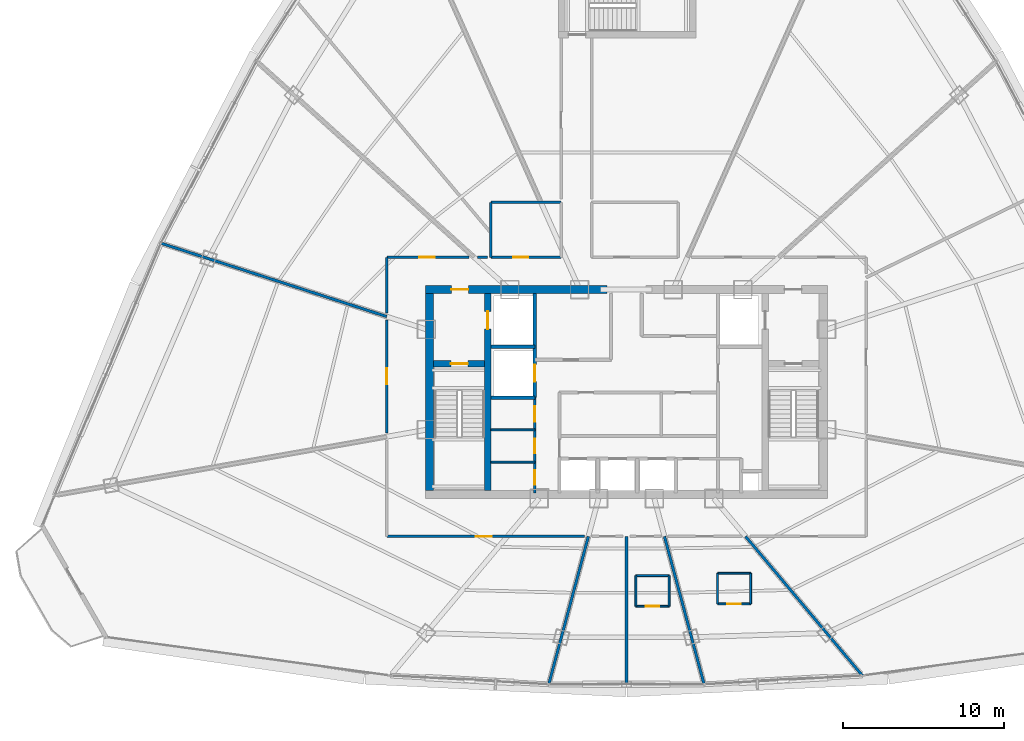
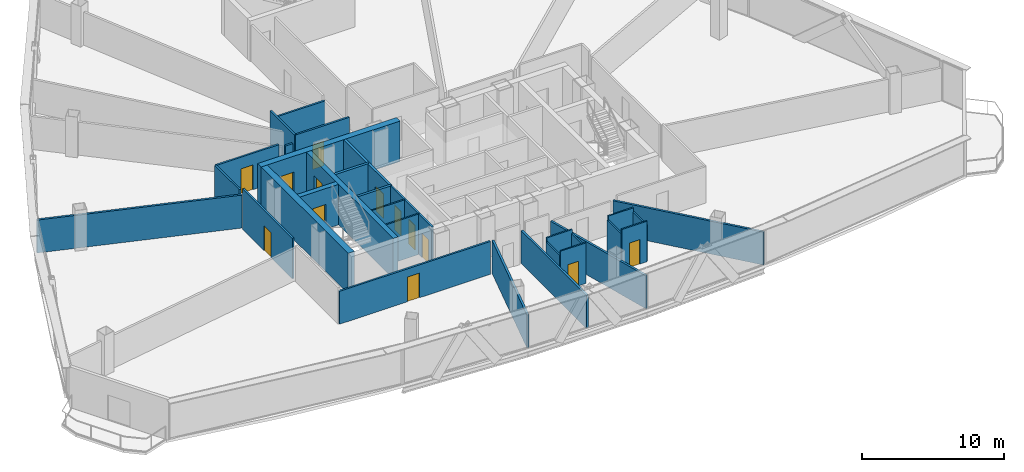
# One storey, part 27 of 34: 31 walls, 13 doors, 13 openings.
"""IFC4 building model written with IfcOpenShell, lengths in metres."""

from ifc_helpers import new_model, si_unit, direction, frame, frame_2d, origin, origin_with_axes, place, context, subcontext, project, spatial, rectangle, extrude, source, transform, mapped, material, layer, layer_set, type_object, element, fill, save


model = new_model("IFC4")

# Units and contexts
model_context = context("Model", 3, precision=1e-05, world=origin(), true_north=direction((0.0, 1.0)))
body_context = subcontext(model_context, "Body", "Model", "MODEL_VIEW")
ifc_project = project(units=[si_unit("LENGTHUNIT", "METRE"), si_unit("AREAUNIT", "SQUARE_METRE"), si_unit("VOLUMEUNIT", "CUBIC_METRE"), si_unit("PLANEANGLEUNIT", "RADIAN"), si_unit("MASSUNIT", "GRAM", prefix="KILO"), si_unit("THERMODYNAMICTEMPERATUREUNIT", "KELVIN"), si_unit("POWERUNIT", "WATT")], contexts=[model_context])

# Site, building, storey
site_placement = place(None, origin())
site = spatial("IfcSite", under=ifc_project, at=site_placement, CompositionType="ELEMENT")
building_placement = place(site_placement, origin())
building = spatial("IfcBuilding", under=site, at=building_placement, Name="Yunzhuo Pagoda Commons", CompositionType="ELEMENT")
storey_placement = place(building_placement, frame((0.0, 0.0, 229.610107421875)))
storey = spatial("IfcBuildingStorey", under=building, at=storey_placement, Name="L57", CompositionType="ELEMENT", Elevation=229.610107421875)

# Wall, opening, door
ifc_material_1 = material(Name="Concrete C50", Category="concrete")
ifc_layer_1 = layer(ifc_material_1, 0.5)
ifc_layer_set_1 = layer_set([ifc_layer_1], Name="Concrete C50")
wall_type_1 = type_object("IfcWallType", Name="W-C03 Upper Core Shear Wall 500", PredefinedType="SHEAR", material=ifc_layer_set_1)
wall_1_placement = place(storey_placement, frame((35.550048828125, 40.199951171875, 0.0), z_axis=(0.0, 0.0, 1.0), x_axis=(1.0, 0.0, 0.0)))
wall_1 = element("IfcWall", 1, at=wall_1_placement, inside=storey, type_object=wall_type_1, Name="L57 core shear wall NW", PredefinedType="SHEAR", context=body_context, shape_type="SweptSolid", body=[
    extrude(rectangle(XDim=11.25, YDim=0.5, at=frame_2d((5.625, 0.0))), origin(), (0.0, 0.0, 1.0), 3.469970703125),
])
opening_1_placement = place(wall_1_placement, frame((1.60009765625, 0.0, 0.0)))
opening_1 = element("IfcOpeningElement", 2, at=opening_1_placement, cuts=wall_1, Name="Opening D-02", PredefinedType="OPENING", context=body_context, shape_type="SweptSolid", body=[
    extrude(rectangle(XDim=1.050048828125, YDim=2.10009765625, at=frame_2d((0.52490234375, 1.050048828125))), frame((0.0, 0.260009765625, 0.0), z_axis=(0.0, -1.0, 0.0), x_axis=(1.0, 0.0, 0.0)), (0.0, 0.0, 1.0), 0.52001953125),
])
ifc_material_2 = material(Name="Galvanized fire-resisting metal leaf")
door_type_1 = type_object("IfcDoorType", Name="D-02 Firefighting Lobby & Refuge Fire Door 1050x2100", OperationType="NOTDEFINED", PredefinedType="DOOR", material=ifc_material_2)
shared_shape_1 = source(origin(), body_context, "Body", "SweptSolid", [
    extrude(rectangle(XDim=1.050048828125, YDim=2.10009765625, at=frame_2d((0.52490234375, 1.050048828125))), frame((0.0, 0.02490234375, 0.0), z_axis=(0.0, -1.0, 0.0), x_axis=(1.0, 0.0, 0.0)), (0.0, 0.0, 1.0), 0.050048828125),
])
door_1_placement = place(opening_1_placement, frame((1.050048828125, 0.0, 0.0), z_axis=(0.0, 0.0, 1.0), x_axis=(-1.0, 0.0, 0.0)))
door_1 = element("IfcDoor", 3, at=door_1_placement, inside=storey, type_object=door_type_1, Name="L57 Firefighting Lobby 1 fire door", OperationType="SINGLE_SWING_LEFT", OverallHeight=2.10009765625, OverallWidth=1.050048828125, PredefinedType="DOOR", context=body_context, shape_type="MappedRepresentation", body=[
    mapped(shared_shape_1, transform((0.0, 0.0, 0.0), scale=1.0)),
])
fill(opening_1, door_1)

# Wall
wall_2_placement = place(storey_placement, frame((35.800048828125, 27.75, 0.0), z_axis=(0.0, 0.0, 1.0), x_axis=(0.0, 1.0, 0.0)))
element("IfcWall", 4, at=wall_2_placement, inside=storey, type_object=wall_type_1, Name="L57 core shear wall W", PredefinedType="SHEAR", context=body_context, shape_type="SweptSolid", body=[
    extrude(rectangle(XDim=12.199951171875, YDim=0.5, at=frame_2d((6.10009765625, 0.0))), origin(), (0.0, 0.0, 1.0), 3.469970703125),
])

# Wall, openings, doors
ifc_material_3 = material(Name="Gypsum plasterboard on acoustic stud")
ifc_layer_2 = layer(ifc_material_3, 0.14990234375)
ifc_layer_set_2 = layer_set([ifc_layer_2], Name="Gypsum plasterboard on acoustic stud")
wall_type_2 = type_object("IfcWallType", Name="W-COR3 High-Zone Rated Corridor Wall 150", PredefinedType="PARTITIONING", material=ifc_layer_set_2)
wall_3_placement = place(storey_placement, frame((42.320068359375, 27.60009765625, 0.0), z_axis=(0.0, 0.0, 1.0), x_axis=(0.0, 1.0, 0.0)))
wall_3 = element("IfcWall", 5, at=wall_3_placement, inside=storey, type_object=wall_type_2, Name="L57 interior wall IW-L57-CSWE", PredefinedType="PARTITIONING", context=body_context, shape_type="SweptSolid", body=[
    extrude(rectangle(XDim=5.89990234375, YDim=0.14990234375, at=frame_2d((2.949951171875, 0.0))), origin(), (0.0, 0.0, 1.0), 3.469970703125),
])
opening_2_placement = place(wall_3_placement, frame((0.5, 0.0, 0.0)))
opening_2 = element("IfcOpeningElement", 6, at=opening_2_placement, cuts=wall_3, Name="Opening D-03", PredefinedType="OPENING", context=body_context, shape_type="SweptSolid", body=[
    extrude(rectangle(XDim=0.89990234375, YDim=2.10009765625, at=frame_2d((0.449951171875, 1.050048828125))), frame((0.0, 0.0849609375, 0.0), z_axis=(0.0, -1.0, 0.0), x_axis=(1.0, 0.0, 0.0)), (0.0, 0.0, 1.0), 0.169921875),
])
opening_3_placement = place(wall_3_placement, frame((2.449951171875, 0.0, 0.0)))
opening_3 = element("IfcOpeningElement", 7, at=opening_3_placement, cuts=wall_3, Name="Opening D-03", PredefinedType="OPENING", context=body_context, shape_type="SweptSolid", body=[
    extrude(rectangle(XDim=0.89990234375, YDim=2.10009765625, at=frame_2d((0.449951171875, 1.050048828125))), frame((0.0, 0.0849609375, 0.0), z_axis=(0.0, -1.0, 0.0), x_axis=(1.0, 0.0, 0.0)), (0.0, 0.0, 1.0), 0.169921875),
])
opening_4_placement = place(wall_3_placement, frame((4.419921875, 0.0, 0.0)))
opening_4 = element("IfcOpeningElement", 8, at=opening_4_placement, cuts=wall_3, Name="Opening D-11", PredefinedType="OPENING", context=body_context, shape_type="SweptSolid", body=[
    extrude(rectangle(XDim=0.93994140625, YDim=2.10009765625, at=frame_2d((0.469970703125, 1.050048828125))), frame((0.0, 0.0849609375, 0.0), z_axis=(0.0, -1.0, 0.0), x_axis=(1.0, 0.0, 0.0)), (0.0, 0.0, 1.0), 0.169921875),
])
door_type_2 = type_object("IfcDoorType", Name="D-03 Core Service Fire Door 900x2100", OperationType="NOTDEFINED", PredefinedType="DOOR", material=ifc_material_2)
shared_shape_2 = source(origin(), body_context, "Body", "SweptSolid", [
    extrude(rectangle(XDim=0.89990234375, YDim=2.10009765625, at=frame_2d((0.449951171875, 1.050048828125))), frame((0.0, 0.02490234375, 0.0), z_axis=(0.0, -1.0, 0.0), x_axis=(1.0, 0.0, 0.0)), (0.0, 0.0, 1.0), 0.050048828125),
])
door_2_placement = place(opening_2_placement, origin_with_axes())
door_2 = element("IfcDoor", 9, at=door_2_placement, inside=storey, type_object=door_type_2, Name="L57 switch door", OperationType="SINGLE_SWING_RIGHT", OverallHeight=2.10009765625, OverallWidth=0.89990234375, PredefinedType="DOOR", context=body_context, shape_type="MappedRepresentation", body=[
    mapped(shared_shape_2, transform((0.0, 0.0, 0.0), scale=1.0)),
])
fill(opening_2, door_2)
door_3_placement = place(opening_3_placement, origin_with_axes())
door_3 = element("IfcDoor", 10, at=door_3_placement, inside=storey, type_object=door_type_2, Name="L57 cleaner door", OperationType="SINGLE_SWING_RIGHT", OverallHeight=2.10009765625, OverallWidth=0.89990234375, PredefinedType="DOOR", context=body_context, shape_type="MappedRepresentation", body=[
    mapped(shared_shape_2, transform((0.0, 0.0, 0.0), scale=1.0)),
])
fill(opening_3, door_3)
door_type_3 = type_object("IfcDoorType", Name="D-11 Accessible Washroom Fire Door 940x2100", OperationType="NOTDEFINED", PredefinedType="DOOR", material=ifc_material_2)
shared_shape_3 = source(origin(), body_context, "Body", "SweptSolid", [
    extrude(rectangle(XDim=0.93994140625, YDim=2.10009765625, at=frame_2d((0.469970703125, 1.050048828125))), frame((0.0, 0.02490234375, 0.0), z_axis=(0.0, -1.0, 0.0), x_axis=(1.0, 0.0, 0.0)), (0.0, 0.0, 1.0), 0.050048828125),
])
door_4_placement = place(opening_4_placement, origin_with_axes())
door_4 = element("IfcDoor", 11, at=door_4_placement, inside=storey, type_object=door_type_3, Name="L57 core WC door", OperationType="SINGLE_SWING_LEFT", OverallHeight=2.10009765625, OverallWidth=0.93994140625, PredefinedType="DOOR", context=body_context, shape_type="MappedRepresentation", body=[
    mapped(shared_shape_3, transform((0.0, 0.0, 0.0), scale=1.0)),
])
fill(opening_4, door_4)

# Wall, opening, door
wall_4_placement = place(storey_placement, frame((39.60009765625, 42.199951171875, 0.0), z_axis=(0.0, 0.0, 1.0), x_axis=(1.0, 0.0, 0.0)))
wall_4 = element("IfcWall", 12, at=wall_4_placement, inside=storey, type_object=wall_type_2, Name="L57 interior wall IW-L57-TFWS", PredefinedType="PARTITIONING", context=body_context, shape_type="SweptSolid", body=[
    extrude(rectangle(XDim=4.349853515625, YDim=0.14990234375, at=frame_2d((2.1748046875, 0.0))), origin(), (0.0, 0.0, 1.0), 3.469970703125),
])
opening_5_placement = place(wall_4_placement, frame((1.39990234375, 0.0, 0.0)))
opening_5 = element("IfcOpeningElement", 13, at=opening_5_placement, cuts=wall_4, Name="Opening D-04", PredefinedType="OPENING", context=body_context, shape_type="SweptSolid", body=[
    extrude(rectangle(XDim=0.919921875, YDim=2.10009765625, at=frame_2d((0.4599609375, 1.050048828125))), frame((0.0, 0.0849609375, 0.0), z_axis=(0.0, -1.0, 0.0), x_axis=(1.0, 0.0, 0.0)), (0.0, 0.0, 1.0), 0.169921875),
])
ifc_material_4 = material(Name="Powder-coated aluminium and timber acoustic leaf", Category="wood")
door_type_4 = type_object("IfcDoorType", Name="D-04 Bedroom & Study Interior Door 920x2100", OperationType="NOTDEFINED", PredefinedType="DOOR", material=ifc_material_4)
shared_shape_4 = source(origin(), body_context, "Body", "SweptSolid", [
    extrude(rectangle(XDim=0.919921875, YDim=2.10009765625, at=frame_2d((0.4599609375, 1.050048828125))), frame((0.0, 0.02490234375, 0.0), z_axis=(0.0, -1.0, 0.0), x_axis=(1.0, 0.0, 0.0)), (0.0, 0.0, 1.0), 0.050048828125),
])
door_5_placement = place(opening_5_placement, frame((0.919921875, 0.0, 0.0), z_axis=(0.0, 0.0, 1.0), x_axis=(-1.0, 0.0, 0.0)))
door_5 = element("IfcDoor", 14, at=door_5_placement, inside=storey, type_object=door_type_4, Name="L57 laundry door", OperationType="SINGLE_SWING_LEFT", OverallHeight=2.10009765625, OverallWidth=0.919921875, PredefinedType="DOOR", context=body_context, shape_type="MappedRepresentation", body=[
    mapped(shared_shape_4, transform((0.0, 0.0, 0.0), scale=1.0)),
])
fill(opening_5, door_5)

# Walls
wall_5_placement = place(storey_placement, frame((39.60009765625, 45.60009765625, 0.0), z_axis=(0.0, 0.0, 1.0), x_axis=(1.0, 0.0, 0.0)))
element("IfcWall", 15, at=wall_5_placement, inside=storey, type_object=wall_type_2, Name="L57 interior wall IW-L57-TFWN", PredefinedType="PARTITIONING", context=body_context, shape_type="SweptSolid", body=[
    extrude(rectangle(XDim=4.349853515625, YDim=0.14990234375, at=frame_2d((2.1748046875, 0.0))), origin(), (0.0, 0.0, 1.0), 2.81982421875),
])
wall_6_placement = place(storey_placement, frame((39.60009765625, 42.199951171875, 0.0), z_axis=(0.0, 0.0, 1.0), x_axis=(0.0, 1.0, 0.0)))
element("IfcWall", 16, at=wall_6_placement, inside=storey, type_object=wall_type_2, Name="L57 interior wall IW-L57-TFWW", PredefinedType="PARTITIONING", context=body_context, shape_type="SweptSolid", body=[
    extrude(rectangle(XDim=3.400146484375, YDim=0.14990234375, at=frame_2d((1.7001953125, 0.0))), origin(), (0.0, 0.0, 1.0), 3.469970703125),
])

# Wall, opening, door
wall_7_placement = place(storey_placement, frame((33.14990234375, 31.30126953125, 0.0), z_axis=(0.0, 0.0, 1.0), x_axis=(0.0, 1.0, 0.0)))
wall_7 = element("IfcWall", 17, at=wall_7_placement, inside=storey, type_object=wall_type_2, Name="L57 interior wall IW-L57-CWL02", PredefinedType="PARTITIONING", context=body_context, shape_type="SweptSolid", body=[
    extrude(rectangle(XDim=7.004150390625, YDim=0.14990234375, at=frame_2d((3.501953125, 0.0))), origin(), (0.0, 0.0, 1.0), 3.469970703125),
])
opening_6_placement = place(wall_7_placement, frame((3.027099609375, 0.0, 0.0)))
opening_6 = element("IfcOpeningElement", 18, at=opening_6_placement, cuts=wall_7, Name="Opening D-08", PredefinedType="OPENING", context=body_context, shape_type="SweptSolid", body=[
    extrude(rectangle(XDim=0.97998046875, YDim=2.1201171875, at=frame_2d((0.489990234375, 1.06005859375))), frame((0.0, 0.0849609375, 0.0), z_axis=(0.0, -1.0, 0.0), x_axis=(1.0, 0.0, 0.0)), (0.0, 0.0, 1.0), 0.169921875),
])
door_type_5 = type_object("IfcDoorType", Name="D-08 High-Zone Suite Entrance Fire Door 980x2120", OperationType="NOTDEFINED", PredefinedType="DOOR", material=ifc_material_2)
shared_shape_5 = source(origin(), body_context, "Body", "SweptSolid", [
    extrude(rectangle(XDim=0.97998046875, YDim=2.1201171875, at=frame_2d((0.489990234375, 1.06005859375))), frame((0.0, 0.02490234375, 0.0), z_axis=(0.0, -1.0, 0.0), x_axis=(1.0, 0.0, 0.0)), (0.0, 0.0, 1.0), 0.050048828125),
])
door_6_placement = place(opening_6_placement, origin_with_axes())
door_6 = element("IfcDoor", 19, at=door_6_placement, inside=storey, type_object=door_type_5, Name="L57 unit 08 entrance door", OperationType="SINGLE_SWING_RIGHT", OverallHeight=2.1201171875, OverallWidth=0.97998046875, PredefinedType="DOOR", context=body_context, shape_type="MappedRepresentation", body=[
    mapped(shared_shape_5, transform((0.0, 0.0, 0.0), scale=1.0)),
])
fill(opening_6, door_6)

# Wall
wall_8_placement = place(storey_placement, frame((33.14990234375, 38.75634765625, 0.0), z_axis=(0.0, 0.0, 1.0), x_axis=(0.0, 1.0, 0.0)))
element("IfcWall", 20, at=wall_8_placement, inside=storey, type_object=wall_type_2, Name="L57 interior wall IW-L57-CWL03", PredefinedType="PARTITIONING", context=body_context, shape_type="SweptSolid", body=[
    extrude(rectangle(XDim=3.443603515625, YDim=0.14990234375, at=frame_2d((1.7216796875, 0.0))), origin(), (0.0, 0.0, 1.0), 3.119873046875),
])

# Wall, opening, door
wall_9_placement = place(storey_placement, frame((33.14990234375, 42.199951171875, 0.0), z_axis=(0.0, 0.0, 1.0), x_axis=(1.0, 0.0, 0.0)))
wall_9 = element("IfcWall", 21, at=wall_9_placement, inside=storey, type_object=wall_type_2, Name="L57 interior wall IW-L57-CWL04", PredefinedType="PARTITIONING", context=body_context, shape_type="SweptSolid", body=[
    extrude(rectangle(XDim=5.0810546875, YDim=0.14990234375, at=frame_2d((2.54052734375, 0.0))), origin(), (0.0, 0.0, 1.0), 3.119873046875),
])
opening_7_placement = place(wall_9_placement, frame((2.0, 0.0, 0.0)))
opening_7 = element("IfcOpeningElement", 22, at=opening_7_placement, cuts=wall_9, Name="Opening D-08", PredefinedType="OPENING", context=body_context, shape_type="SweptSolid", body=[
    extrude(rectangle(XDim=0.97998046875, YDim=2.1201171875, at=frame_2d((0.489990234375, 1.06005859375))), frame((0.0, 0.0849609375, 0.0), z_axis=(0.0, -1.0, 0.0), x_axis=(1.0, 0.0, 0.0)), (0.0, 0.0, 1.0), 0.169921875),
])
door_7_placement = place(opening_7_placement, origin_with_axes())
door_7 = element("IfcDoor", 23, at=door_7_placement, inside=storey, type_object=door_type_5, Name="L57 unit 07 entrance door", OperationType="SINGLE_SWING_LEFT", OverallHeight=2.1201171875, OverallWidth=0.97998046875, PredefinedType="DOOR", context=body_context, shape_type="MappedRepresentation", body=[
    mapped(shared_shape_5, transform((0.0, 0.0, 0.0), scale=1.0)),
])
fill(opening_7, door_7)

# Wall
wall_10_placement = place(storey_placement, frame((38.779541015625, 42.199951171875, 0.0), z_axis=(0.0, 0.0, 1.0), x_axis=(1.0, 0.0, 0.0)))
element("IfcWall", 24, at=wall_10_placement, inside=storey, type_object=wall_type_2, Name="L57 interior wall IW-L57-CWL05", PredefinedType="PARTITIONING", context=body_context, shape_type="SweptSolid", body=[
    extrude(rectangle(XDim=0.600341796875, YDim=0.14990234375, at=frame_2d((0.30029296875, 0.0))), origin(), (0.0, 0.0, 1.0), 2.81982421875),
])

# Wall, opening, door
wall_11_placement = place(storey_placement, frame((45.414306640625, 24.89990234375, 0.0), z_axis=(0.0, 0.0, 1.0), x_axis=(-1.0, 0.0, 0.0)))
wall_11 = element("IfcWall", 25, at=wall_11_placement, inside=storey, type_object=wall_type_2, Name="L57 interior wall IW-L57-CWL17", PredefinedType="PARTITIONING", context=body_context, shape_type="SweptSolid", body=[
    extrude(rectangle(XDim=12.264404296875, YDim=0.14990234375, at=frame_2d((6.13232421875, 0.0))), origin(), (0.0, 0.0, 1.0), 2.81982421875),
])
opening_8_placement = place(wall_11_placement, frame((5.773193359375, 0.0, 0.0)))
opening_8 = element("IfcOpeningElement", 26, at=opening_8_placement, cuts=wall_11, Name="Opening D-08", PredefinedType="OPENING", context=body_context, shape_type="SweptSolid", body=[
    extrude(rectangle(XDim=0.97998046875, YDim=2.1201171875, at=frame_2d((0.489990234375, 1.06005859375))), frame((0.0, 0.0849609375, 0.0), z_axis=(0.0, -1.0, 0.0), x_axis=(1.0, 0.0, 0.0)), (0.0, 0.0, 1.0), 0.169921875),
])
door_8_placement = place(opening_8_placement, origin_with_axes())
door_8 = element("IfcDoor", 27, at=door_8_placement, inside=storey, type_object=door_type_5, Name="L57 Resident Co-Living Commons Hall door", OperationType="SINGLE_SWING_LEFT", OverallHeight=2.1201171875, OverallWidth=0.97998046875, PredefinedType="DOOR", context=body_context, shape_type="MappedRepresentation", body=[
    mapped(shared_shape_5, transform((0.0, 0.0, 0.0), scale=1.0)),
])
fill(opening_8, door_8)

# Walls
ifc_layer_3 = layer(ifc_material_3, 0.1201171875)
ifc_layer_set_3 = layer_set([ifc_layer_3], Name="Gypsum plasterboard on acoustic stud")
wall_type_3 = type_object("IfcWallType", Name="W-PRT1 Suite & Bathroom Partition 120", PredefinedType="PARTITIONING", material=ifc_layer_set_3)
for number, where, z_axis, x_axis, name in (
    (28, (39.60009765625, 29.5, 0.0), (0.0, 0.0, 1.0), (1.0, 0.0, 0.0), "L57 interior wall IW-L57-CC1"),
    (29, (39.60009765625, 31.5, 0.0), (0.0, 0.0, 1.0), (1.0, 0.0, 0.0), "L57 interior wall IW-L57-CC2"),
):
    element("IfcWall", number, at=place(storey_placement, frame(where, z_axis=z_axis, x_axis=x_axis)), inside=storey, type_object=wall_type_3, Name=name, PredefinedType="PARTITIONING", context=body_context, shape_type="SweptSolid", body=[
        extrude(rectangle(XDim=2.719970703125, YDim=0.1201171875, at=frame_2d((1.35986328125, 0.0))), origin(), (0.0, 0.0, 1.0), 3.469970703125),
    ])

# Wall, opening, door
wall_12_placement = place(storey_placement, frame((48.591064453125, 20.574951171875, 0.0), z_axis=(0.0, 0.0, 1.0), x_axis=(1.0, 0.0, 0.0)))
wall_12 = element("IfcWall", 30, at=wall_12_placement, inside=storey, type_object=wall_type_3, Name="L57 interior wall IW-L57-B11S", PredefinedType="PARTITIONING", context=body_context, shape_type="SweptSolid", body=[
    extrude(rectangle(XDim=2.050048828125, YDim=0.1201171875, at=frame_2d((1.02490234375, 0.0))), origin(), (0.0, 0.0, 1.0), 3.469970703125),
])
opening_9_placement = place(wall_12_placement, frame((0.60009765625, 0.0, 0.0)))
opening_9 = element("IfcOpeningElement", 31, at=opening_9_placement, cuts=wall_12, Name="Opening D-05", PredefinedType="OPENING", context=body_context, shape_type="SweptSolid", body=[
    extrude(rectangle(XDim=0.85009765625, YDim=2.10009765625, at=frame_2d((0.425048828125, 1.050048828125))), frame((0.0, 0.070068359375, 0.0), z_axis=(0.0, -1.0, 0.0), x_axis=(1.0, 0.0, 0.0)), (0.0, 0.0, 1.0), 0.14013671875),
])
door_type_6 = type_object("IfcDoorType", Name="D-05 En-Suite Bathroom Door 850x2100", OperationType="NOTDEFINED", PredefinedType="DOOR", material=ifc_material_4)
shared_shape_6 = source(origin(), body_context, "Body", "SweptSolid", [
    extrude(rectangle(XDim=0.85009765625, YDim=2.10009765625, at=frame_2d((0.425048828125, 1.050048828125))), frame((0.0, 0.02490234375, 0.0), z_axis=(0.0, -1.0, 0.0), x_axis=(1.0, 0.0, 0.0)), (0.0, 0.0, 1.0), 0.050048828125),
])
door_9_placement = place(opening_9_placement, frame((0.85009765625, 0.0, 0.0), z_axis=(0.0, 0.0, 1.0), x_axis=(-1.0, 0.0, 0.0)))
door_9 = element("IfcDoor", 32, at=door_9_placement, inside=storey, type_object=door_type_6, Name="L57 unit 11 bathroom door", OperationType="SINGLE_SWING_LEFT", OverallHeight=2.10009765625, OverallWidth=0.85009765625, PredefinedType="DOOR", context=body_context, shape_type="MappedRepresentation", body=[
    mapped(shared_shape_6, transform((0.0, 0.0, 0.0), scale=1.0)),
])
fill(opening_9, door_9)

# Walls
wall_13_placement = place(storey_placement, frame((50.64111328125, 20.574951171875, 0.0), z_axis=(0.0, 0.0, 1.0), x_axis=(0.0, 1.0, 0.0)))
element("IfcWall", 33, at=wall_13_placement, inside=storey, type_object=wall_type_3, Name="L57 interior wall IW-L57-B11E", PredefinedType="PARTITIONING", context=body_context, shape_type="SweptSolid", body=[
    extrude(rectangle(XDim=1.900146484375, YDim=0.1201171875, at=frame_2d((0.9501953125, 0.0))), origin(), (0.0, 0.0, 1.0), 3.119873046875),
])
wall_14_placement = place(storey_placement, frame((50.64111328125, 22.47509765625, 0.0), z_axis=(0.0, 0.0, 1.0), x_axis=(-1.0, 0.0, 0.0)))
element("IfcWall", 34, at=wall_14_placement, inside=storey, type_object=wall_type_3, Name="L57 interior wall IW-L57-B11N", PredefinedType="PARTITIONING", context=body_context, shape_type="SweptSolid", body=[
    extrude(rectangle(XDim=2.050048828125, YDim=0.1201171875, at=frame_2d((1.02490234375, 0.0))), origin(), (0.0, 0.0, 1.0), 3.469970703125),
])
wall_15_placement = place(storey_placement, frame((48.591064453125, 22.47509765625, 0.0), z_axis=(0.0, 0.0, 1.0), x_axis=(0.0, -1.0, 0.0)))
element("IfcWall", 35, at=wall_15_placement, inside=storey, type_object=wall_type_3, Name="L57 interior wall IW-L57-B11W", PredefinedType="PARTITIONING", context=body_context, shape_type="SweptSolid", body=[
    extrude(rectangle(XDim=1.900146484375, YDim=0.1201171875, at=frame_2d((0.9501953125, 0.0))), origin(), (0.0, 0.0, 1.0), 3.119873046875),
])

# Wall, opening, door
wall_16_placement = place(storey_placement, frame((53.64501953125, 20.718017578125, 0.0), z_axis=(0.0, 0.0, 1.0), x_axis=(1.0, 0.0, 0.0)))
wall_16 = element("IfcWall", 36, at=wall_16_placement, inside=storey, type_object=wall_type_3, Name="L57 interior wall IW-L57-B12S", PredefinedType="PARTITIONING", context=body_context, shape_type="SweptSolid", body=[
    extrude(rectangle(XDim=2.050048828125, YDim=0.1201171875, at=frame_2d((1.02490234375, 0.0))), origin(), (0.0, 0.0, 1.0), 3.469970703125),
])
opening_10_placement = place(wall_16_placement, frame((0.60009765625, 0.0, 0.0)))
opening_10 = element("IfcOpeningElement", 37, at=opening_10_placement, cuts=wall_16, Name="Opening D-05", PredefinedType="OPENING", context=body_context, shape_type="SweptSolid", body=[
    extrude(rectangle(XDim=0.85009765625, YDim=2.10009765625, at=frame_2d((0.425048828125, 1.050048828125))), frame((0.0, 0.070068359375, 0.0), z_axis=(0.0, -1.0, 0.0), x_axis=(1.0, 0.0, 0.0)), (0.0, 0.0, 1.0), 0.14013671875),
])
door_10_placement = place(opening_10_placement, frame((0.85009765625, 0.0, 0.0), z_axis=(0.0, 0.0, 1.0), x_axis=(-1.0, 0.0, 0.0)))
door_10 = element("IfcDoor", 38, at=door_10_placement, inside=storey, type_object=door_type_6, Name="L57 unit 12 bathroom door", OperationType="SINGLE_SWING_RIGHT", OverallHeight=2.10009765625, OverallWidth=0.85009765625, PredefinedType="DOOR", context=body_context, shape_type="MappedRepresentation", body=[
    mapped(shared_shape_6, transform((0.0, 0.0, 0.0), scale=1.0)),
])
fill(opening_10, door_10)

# Walls
wall_17_placement = place(storey_placement, frame((55.695068359375, 20.718017578125, 0.0), z_axis=(0.0, 0.0, 1.0), x_axis=(0.0, 1.0, 0.0)))
element("IfcWall", 39, at=wall_17_placement, inside=storey, type_object=wall_type_3, Name="L57 interior wall IW-L57-B12E", PredefinedType="PARTITIONING", context=body_context, shape_type="SweptSolid", body=[
    extrude(rectangle(XDim=1.89990234375, YDim=0.1201171875, at=frame_2d((0.949951171875, 0.0))), origin(), (0.0, 0.0, 1.0), 3.119873046875),
])
wall_18_placement = place(storey_placement, frame((55.695068359375, 22.617919921875, 0.0), z_axis=(0.0, 0.0, 1.0), x_axis=(-1.0, 0.0, 0.0)))
element("IfcWall", 40, at=wall_18_placement, inside=storey, type_object=wall_type_3, Name="L57 interior wall IW-L57-B12N", PredefinedType="PARTITIONING", context=body_context, shape_type="SweptSolid", body=[
    extrude(rectangle(XDim=2.050048828125, YDim=0.1201171875, at=frame_2d((1.02490234375, 0.0))), origin(), (0.0, 0.0, 1.0), 3.469970703125),
])
wall_19_placement = place(storey_placement, frame((53.64501953125, 22.617919921875, 0.0), z_axis=(0.0, 0.0, 1.0), x_axis=(0.0, -1.0, 0.0)))
element("IfcWall", 41, at=wall_19_placement, inside=storey, type_object=wall_type_3, Name="L57 interior wall IW-L57-B12W", PredefinedType="PARTITIONING", context=body_context, shape_type="SweptSolid", body=[
    extrude(rectangle(XDim=1.89990234375, YDim=0.1201171875, at=frame_2d((0.949951171875, 0.0))), origin(), (0.0, 0.0, 1.0), 3.119873046875),
])
ifc_layer_4 = layer(ifc_material_3, 0.169921875)
ifc_layer_set_4 = layer_set([ifc_layer_4], Name="Gypsum plasterboard on acoustic stud")
wall_type_4 = type_object("IfcWallType", Name="W-PRT4 High-Zone Demising Wall 170", PredefinedType="PARTITIONING", material=ifc_layer_set_4)
wall_20_placement = place(storey_placement, frame((33.14990234375, 38.525146484375, 0.0), z_axis=(0.0, 0.0, 1.0), x_axis=(-0.951058452106, 0.309011036497, 0.0)))
element("IfcWall", 42, at=wall_20_placement, inside=storey, type_object=wall_type_4, Name="L57 interior wall IW-L57-RAD07", PredefinedType="PARTITIONING", context=body_context, shape_type="SweptSolid", body=[
    extrude(rectangle(XDim=14.71435546875, YDim=0.169921875, at=frame_2d((7.357177734375, 0.0))), origin(), (0.0, 0.0, 1.0), 2.81982421875),
])
wall_21_placement = place(storey_placement, frame((45.64208984375, 24.89990234375, 0.0), z_axis=(0.0, 0.0, 1.0), x_axis=(-0.258832957733, -0.965922098304, 0.0)))
element("IfcWall", 43, at=wall_21_placement, inside=storey, type_object=wall_type_4, Name="L57 interior wall IW-L57-RAD09", PredefinedType="PARTITIONING", context=body_context, shape_type="SweptSolid", body=[
    extrude(rectangle(XDim=9.489990234375, YDim=0.169921875, at=frame_2d((4.7451171875, 0.0))), origin(), (0.0, 0.0, 1.0), 2.81982421875),
])
wall_22_placement = place(storey_placement, frame((48.0, 24.89990234375, 0.0), z_axis=(0.0, 0.0, 1.0), x_axis=(0.0, -1.0, 0.0)))
element("IfcWall", 44, at=wall_22_placement, inside=storey, type_object=wall_type_4, Name="L57 interior wall IW-L57-RAD10", PredefinedType="PARTITIONING", context=body_context, shape_type="SweptSolid", body=[
    extrude(rectangle(XDim=9.16650390625, YDim=0.169921875, at=frame_2d((4.583251953125, 0.0))), origin(), (0.0, 0.0, 1.0), 2.81982421875),
])
wall_23_placement = place(storey_placement, frame((50.35791015625, 24.89990234375, 0.0), z_axis=(0.0, 0.0, 1.0), x_axis=(0.258832957733, -0.965922098304, 0.0)))
element("IfcWall", 45, at=wall_23_placement, inside=storey, type_object=wall_type_4, Name="L57 interior wall IW-L57-RAD11", PredefinedType="PARTITIONING", context=body_context, shape_type="SweptSolid", body=[
    extrude(rectangle(XDim=9.489990234375, YDim=0.169921875, at=frame_2d((4.7451171875, 0.0))), origin(), (0.0, 0.0, 1.0), 2.81982421875),
])
wall_24_placement = place(storey_placement, frame((55.384033203125, 24.89990234375, 0.0), z_axis=(0.0, 0.0, 1.0), x_axis=(0.642803558478, -0.766031060211, 0.0)))
element("IfcWall", 46, at=wall_24_placement, inside=storey, type_object=wall_type_4, Name="L57 interior wall IW-L57-RAD12", PredefinedType="PARTITIONING", context=body_context, shape_type="SweptSolid", body=[
    extrude(rectangle(XDim=11.26123046875, YDim=0.169921875, at=frame_2d((5.630615234375, 0.0))), origin(), (0.0, 0.0, 1.0), 2.81982421875),
])

# Wall, opening, door
ifc_material_5 = material(Name="Concrete C60", Category="concrete")
ifc_layer_5 = layer(ifc_material_5, 0.39990234375)
ifc_layer_set_5 = layer_set([ifc_layer_5], Name="Concrete C60")
wall_type_5 = type_object("IfcWallType", Name="W-S01 Internal Core Shear Web 400", PredefinedType="SHEAR", material=ifc_layer_set_5)
wall_25_placement = place(storey_placement, frame((39.39990234375, 27.75, 0.0), z_axis=(0.0, 0.0, 1.0), x_axis=(0.0, 1.0, 0.0)))
wall_25 = element("IfcWall", 47, at=wall_25_placement, inside=storey, type_object=wall_type_5, Name="L57 core shear wall WEBW", PredefinedType="SHEAR", context=body_context, shape_type="SweptSolid", body=[
    extrude(rectangle(XDim=12.199951171875, YDim=0.39990234375, at=frame_2d((6.10009765625, 0.0))), origin(), (0.0, 0.0, 1.0), 3.469970703125),
])
opening_11_placement = place(wall_25_placement, frame((10.0, 0.0, 0.0)))
opening_11 = element("IfcOpeningElement", 48, at=opening_11_placement, cuts=wall_25, Name="Opening LD-01", PredefinedType="OPENING", context=body_context, shape_type="SweptSolid", body=[
    extrude(rectangle(XDim=1.10009765625, YDim=2.10009765625, at=frame_2d((0.550048828125, 1.050048828125))), frame((0.0, 0.2099609375, 0.0), z_axis=(0.0, -1.0, 0.0), x_axis=(1.0, 0.0, 0.0)), (0.0, 0.0, 1.0), 0.419921875),
])
door_type_7 = type_object("IfcDoorType", Name="LD-01 Firefighting Lift Landing Door 1100x2100", OperationType="DOUBLE_DOOR_SLIDING", PredefinedType="DOOR", material=ifc_material_2)
shared_shape_7 = source(origin(), body_context, "Body", "SweptSolid", [
    extrude(rectangle(XDim=1.10009765625, YDim=2.10009765625, at=frame_2d((0.550048828125, 1.050048828125))), frame((0.0, 0.02490234375, 0.0), z_axis=(0.0, -1.0, 0.0), x_axis=(1.0, 0.0, 0.0)), (0.0, 0.0, 1.0), 0.050048828125),
])
door_11_placement = place(opening_11_placement, frame((1.10009765625, 0.0, 0.0), z_axis=(0.0, 0.0, 1.0), x_axis=(-1.0, 0.0, 0.0)))
door_11 = element("IfcDoor", 49, at=door_11_placement, inside=storey, type_object=door_type_7, Name="L57 Firefighting lift FL-1 landing door", OperationType="DOUBLE_DOOR_SLIDING", OverallHeight=2.10009765625, OverallWidth=1.10009765625, PredefinedType="DOOR", context=body_context, shape_type="MappedRepresentation", body=[
    mapped(shared_shape_7, transform((0.0, 0.0, 0.0), scale=1.0)),
])
fill(opening_11, door_11)

wall_26_placement = place(storey_placement, frame((36.050048828125, 35.60009765625, 0.0), z_axis=(0.0, 0.0, 1.0), x_axis=(1.0, 0.0, 0.0)))
wall_26 = element("IfcWall", 50, at=wall_26_placement, inside=storey, type_object=wall_type_5, Name="L57 core shear wall STW", PredefinedType="SHEAR", context=body_context, shape_type="SweptSolid", body=[
    extrude(rectangle(XDim=3.14990234375, YDim=0.39990234375, at=frame_2d((1.574951171875, 0.0))), origin(), (0.0, 0.0, 1.0), 3.469970703125),
])
opening_12_placement = place(wall_26_placement, frame((1.070068359375, 0.0, 0.0)))
opening_12 = element("IfcOpeningElement", 51, at=opening_12_placement, cuts=wall_26, Name="Opening D-01", PredefinedType="OPENING", context=body_context, shape_type="SweptSolid", body=[
    extrude(rectangle(XDim=1.050048828125, YDim=2.10009765625, at=frame_2d((0.52490234375, 1.050048828125))), frame((0.0, 0.2099609375, 0.0), z_axis=(0.0, -1.0, 0.0), x_axis=(1.0, 0.0, 0.0)), (0.0, 0.0, 1.0), 0.419921875),
])
door_type_8 = type_object("IfcDoorType", Name="D-01 Smokeproof Stair Fire Door 1050x2100", OperationType="NOTDEFINED", PredefinedType="DOOR", material=ifc_material_2)
door_12_placement = place(opening_12_placement, frame((1.050048828125, 0.0, 0.0), z_axis=(0.0, 0.0, 1.0), x_axis=(-1.0, 0.0, 0.0)))
door_12 = element("IfcDoor", 52, at=door_12_placement, inside=storey, type_object=door_type_8, Name="L57 Stair ST1 fire door", OperationType="SINGLE_SWING_LEFT", OverallHeight=2.10009765625, OverallWidth=1.050048828125, PredefinedType="DOOR", context=body_context, shape_type="MappedRepresentation", body=[
    mapped(shared_shape_1, transform((0.0, 0.0, 0.0), scale=1.0)),
])
fill(opening_12, door_12)

ifc_material_6 = material(Name="Concrete C40", Category="concrete")
ifc_layer_6 = layer(ifc_material_6, 0.199951171875)
ifc_layer_set_6 = layer_set([ifc_layer_6], Name="Concrete C40")
wall_type_6 = type_object("IfcWallType", Name="W-SHF Shaft & Stair Enclosure Wall 200", PredefinedType="SOLIDWALL", material=ifc_layer_set_6)
wall_27_placement = place(storey_placement, frame((42.320068359375, 33.5, 0.0), z_axis=(0.0, 0.0, 1.0), x_axis=(0.0, 1.0, 0.0)))
wall_27 = element("IfcWall", 53, at=wall_27_placement, inside=storey, type_object=wall_type_6, Name="L57 interior wall IW-L57-FL1E", PredefinedType="SOLIDWALL", context=body_context, shape_type="SweptSolid", body=[
    extrude(rectangle(XDim=6.449951171875, YDim=0.199951171875, at=frame_2d((3.22509765625, 0.0))), origin(), (0.0, 0.0, 1.0), 3.469970703125),
])
opening_13_placement = place(wall_27_placement, frame((1.0, 0.0, 0.0)))
opening_13 = element("IfcOpeningElement", 54, at=opening_13_placement, cuts=wall_27, Name="Opening LD-02", PredefinedType="OPENING", context=body_context, shape_type="SweptSolid", body=[
    extrude(rectangle(XDim=1.050048828125, YDim=2.10009765625, at=frame_2d((0.52490234375, 1.050048828125))), frame((0.0, 0.10986328125, 0.0), z_axis=(0.0, -1.0, 0.0), x_axis=(1.0, 0.0, 0.0)), (0.0, 0.0, 1.0), 0.219970703125),
])
door_type_9 = type_object("IfcDoorType", Name="LD-02 Passenger Lift Landing Door 1050x2100", OperationType="DOUBLE_DOOR_SLIDING", PredefinedType="DOOR", material=ifc_material_2)
door_13_placement = place(opening_13_placement, origin_with_axes())
door_13 = element("IfcDoor", 55, at=door_13_placement, inside=storey, type_object=door_type_9, Name="L57 Service lift SL-1 landing door", OperationType="DOUBLE_DOOR_SLIDING", OverallHeight=2.10009765625, OverallWidth=1.050048828125, PredefinedType="DOOR", context=body_context, shape_type="MappedRepresentation", body=[
    mapped(shared_shape_1, transform((0.0, 0.0, 0.0), scale=1.0)),
])
fill(opening_13, door_13)

# Walls
for number, where, z_axis, x_axis, name in (
    (56, (39.60009765625, 36.64990234375, 0.0), (0.0, 0.0, 1.0), (1.0, 0.0, 0.0), "L57 interior wall IW-L57-FL1S"),
    (57, (39.60009765625, 33.5, 0.0), (0.0, 0.0, 1.0), (1.0, 0.0, 0.0), "L57 interior wall IW-L57-SL1S"),
):
    element("IfcWall", number, at=place(storey_placement, frame(where, z_axis=z_axis, x_axis=x_axis)), inside=storey, type_object=wall_type_6, Name=name, PredefinedType="SOLIDWALL", context=body_context, shape_type="SweptSolid", body=[
        extrude(rectangle(XDim=2.719970703125, YDim=0.199951171875, at=frame_2d((1.35986328125, 0.0))), origin(), (0.0, 0.0, 1.0), 3.469970703125),
    ])

save(model, "model.ifc")
